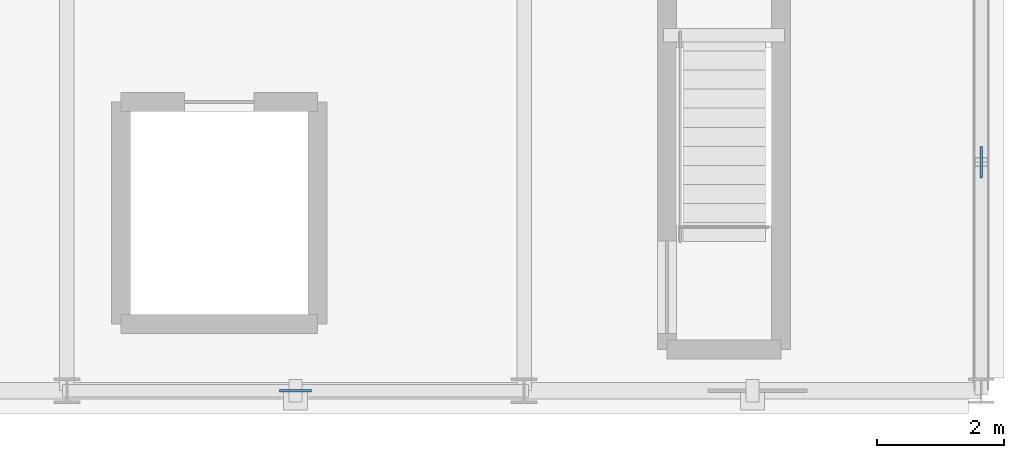
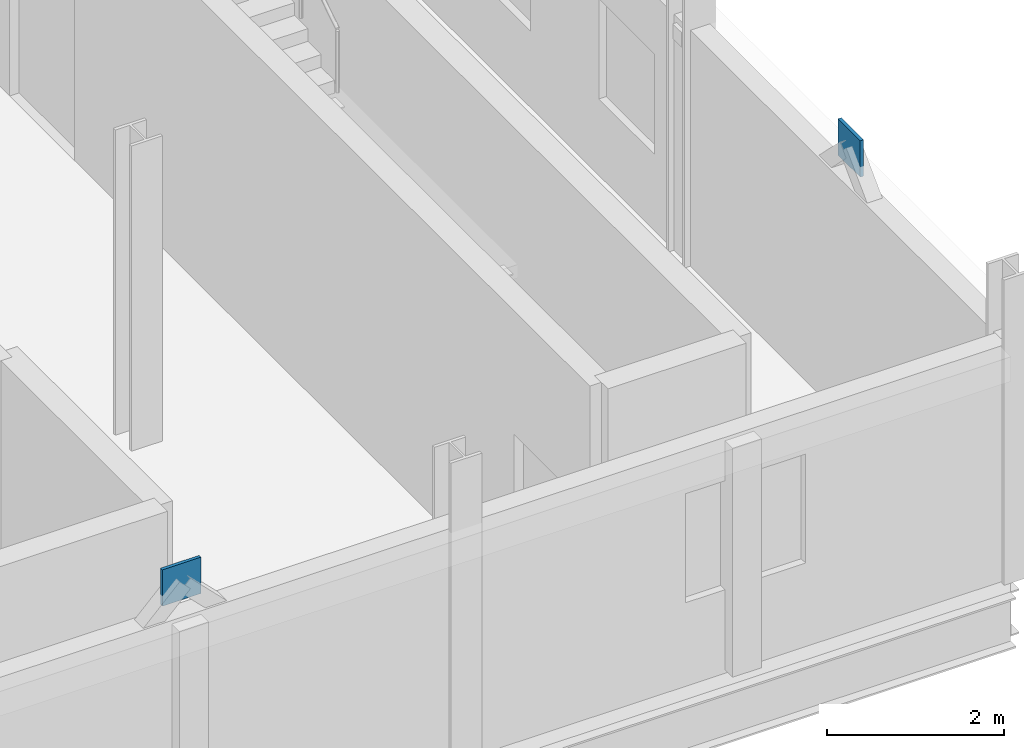
# One storey, part 89 of 102: 2 plates.
"""IFC4 building model written with IfcOpenShell, lengths in metres."""

from ifc_helpers import new_model, si_unit, direction, frame, origin, origin_2d, place, context, subcontext, project, spatial, rectangle, extrude, material, layer, layer_set, type_object, element, save


model = new_model("IFC4")

# Units and contexts
model_context = context("Model", 3, precision=1e-05, world=origin(), true_north=direction((0.0, 1.0)))
body_context = subcontext(model_context, "Body", "Model", "MODEL_VIEW")
ifc_project = project(units=[si_unit("LENGTHUNIT", "METRE"), si_unit("AREAUNIT", "SQUARE_METRE"), si_unit("VOLUMEUNIT", "CUBIC_METRE"), si_unit("PLANEANGLEUNIT", "RADIAN"), si_unit("MASSUNIT", "GRAM", prefix="KILO")], contexts=[model_context])

# Site, building, storey
site_placement = place(None, origin())
site = spatial("IfcSite", under=ifc_project, at=site_placement, CompositionType="ELEMENT")
building_placement = place(site_placement, origin())
building = spatial("IfcBuilding", under=site, at=building_placement, Name="Yarey Park Central Fire Station", CompositionType="ELEMENT")
storey_placement = place(building_placement, frame((0.0, 0.0, 6.0)))
storey = spatial("IfcBuildingStorey", under=building, at=storey_placement, Name="L02", CompositionType="ELEMENT", Elevation=6.0)

# Plates
ifc_material = material(Name="Steel ASTM A572 Gr. 50", Category="steel")
ifc_layer = layer(ifc_material, 0.0419921875)
ifc_layer_set = layer_set([ifc_layer], Name="Steel ASTM A572 Gr. 50")
plate_type = type_object("IfcPlateType", Name="STR_PLT_NODE2", PredefinedType="USERDEFINED", material=ifc_layer_set)
plate_1_placement = place(storey_placement, frame((165.60009765625, 3.60009765625, 3.39990234375), z_axis=(0.0, 0.0, 1.0), x_axis=(1.0, 0.0, 0.0)))
element("IfcPlate", 1, at=plate_1_placement, inside=storey, type_object=plate_type, Name="NODE_PLT_DT_L02_1", ObjectType="GUSSET_PLATE", PredefinedType="USERDEFINED", context=body_context, shape_type="SweptSolid", body=[
    extrude(rectangle(XDim=0.0419921875, YDim=0.5, at=origin_2d()), origin(), (0.0, 0.0, 1.0), 0.5),
])
plate_2_placement = place(storey_placement, frame((154.800048828125, 0.0, 3.39990234375), z_axis=(0.0, 0.0, 1.0), x_axis=(1.0, 0.0, 0.0)))
element("IfcPlate", 2, at=plate_2_placement, inside=storey, type_object=plate_type, Name="NODE_PLT_DT_L02_2", ObjectType="GUSSET_PLATE", PredefinedType="USERDEFINED", context=body_context, shape_type="SweptSolid", body=[
    extrude(rectangle(XDim=0.5, YDim=0.0419921875, at=origin_2d()), origin(), (0.0, 0.0, 1.0), 0.5),
])

save(model, "model.ifc")
